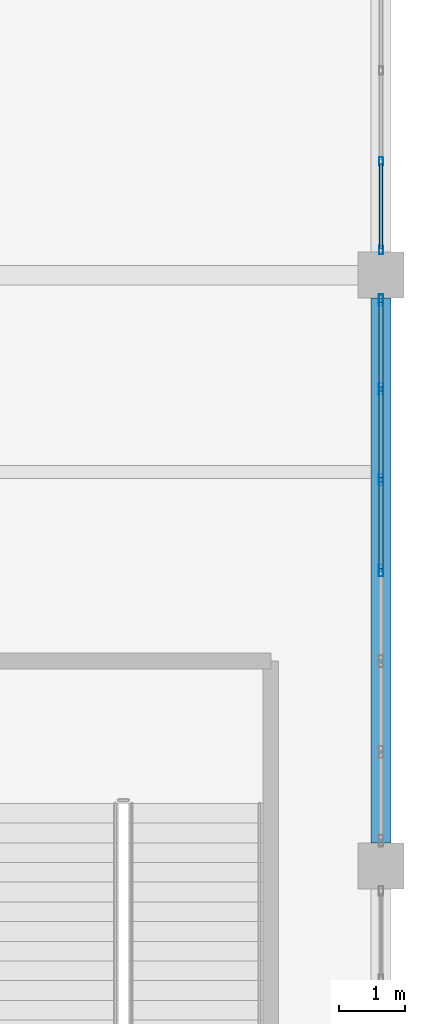
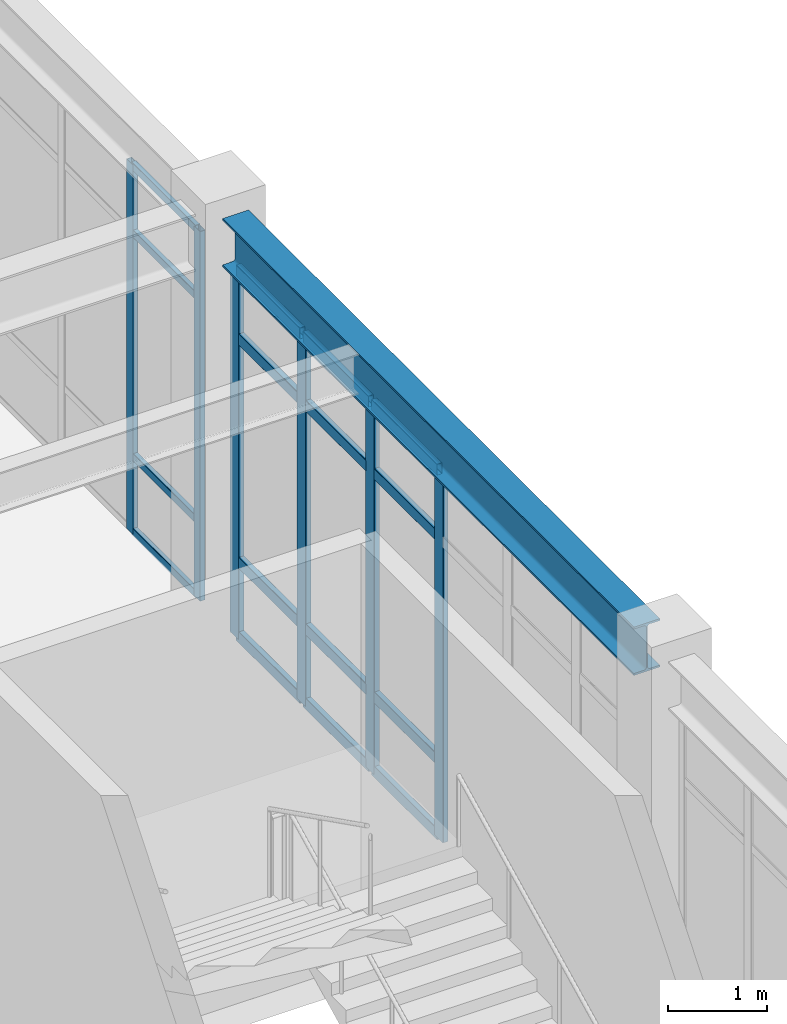
# One storey, part 29 of 80: 22 members, 1 beam, 2 elements without a shape of their own.
"""IFC4 building model written with IfcOpenShell, lengths in metres."""

from ifc_helpers import new_model, si_unit, direction, frame, origin, origin_2d, place, context, subcontext, project, spatial, hollow_rectangle, i_section, extrude, material, material_profile, profile_set, type_object, element, aggregate, save


model = new_model("IFC4")

# Units and contexts
model_context = context("Model", 3, precision=1e-05, world=origin(), true_north=direction((0.0, 1.0)))
body_context = subcontext(model_context, "Body", "Model", "MODEL_VIEW")
ifc_project = project(units=[si_unit("LENGTHUNIT", "METRE"), si_unit("AREAUNIT", "SQUARE_METRE"), si_unit("VOLUMEUNIT", "CUBIC_METRE"), si_unit("PLANEANGLEUNIT", "RADIAN"), si_unit("MASSUNIT", "GRAM", prefix="KILO")], contexts=[model_context])

# Site, building, storey
site_placement = place(None, origin())
site = spatial("IfcSite", under=ifc_project, at=site_placement, CompositionType="ELEMENT")
building_placement = place(site_placement, origin())
building = spatial("IfcBuilding", under=site, at=building_placement, Name="Canglan Escarpment Cableway Terminal", CompositionType="ELEMENT")
storey_placement = place(building_placement, frame((0.0, 0.0, 19.199951171875)))
storey = spatial("IfcBuildingStorey", under=building, at=storey_placement, Name="L04", CompositionType="ELEMENT", Elevation=19.199951171875)

# Beam
ifc_material_1 = material(Name="Steel Q355C", Category="steel")
ifc_material_profile_1 = material_profile(ifc_material_1, i_section(OverallWidth=0.302001953125, OverallDepth=0.593994140625, WebThickness=0.013916015625, FlangeThickness=0.02294921875, FilletRadius=0.028076171875, at=origin_2d()), Name="HM 594x302x14x23")
ifc_profile_set_1 = profile_set([ifc_material_profile_1], Name="Steel Q355C")
beam_type = type_object("IfcBeamType", Name="BM-HM594", PredefinedType="BEAM", material=ifc_profile_set_1)
beam_placement = place(storey_placement, frame((166.39990234375, 43.35009765625, 4.863037109375), z_axis=(0.0, 1.0, 0.0), x_axis=(-1.0, 0.0, 0.0)))
element("IfcBeam", 1, at=beam_placement, inside=storey, type_object=beam_type, Name="Primary transverse girder B-07", PredefinedType="BEAM", context=body_context, shape_type="SweptSolid", body=[
    extrude(i_section(OverallWidth=0.302001953125, OverallDepth=0.593994140625, WebThickness=0.013916015625, FlangeThickness=0.02294921875, FilletRadius=0.028076171875, at=origin_2d()), origin(), (0.0, 0.0, 1.0), 8.2998046875),
])

# Curtain wall, members
ifc_material_2 = material(Name="Anodized bronze aluminium and Low-E double glazing", Category="aluminium")
curtain_wall_type = type_object("IfcCurtainWallType", Name="CW-BAY-8300x4550", PredefinedType="NOTDEFINED", material=ifc_material_2)
curtain_wall_1_placement = place(storey_placement, origin())
curtain_wall_1 = element("IfcCurtainWall", 2, at=curtain_wall_1_placement, inside=storey, type_object=curtain_wall_type, Name="Classical bay-between-piers glazed curtain wall CW-64", PredefinedType="NOTDEFINED")
ifc_material_3 = material(Name="Thermally broken anodized aluminium 6063-T6", Category="aluminium")
ifc_material_profile_2 = material_profile(ifc_material_3, hollow_rectangle(XDim=0.06005859375, YDim=0.1298828125, WallThickness=0.0029296875, InnerFilletRadius=0.0029296875, OuterFilletRadius=0.006103515625, at=origin_2d()), Name="ALU-MULL 60x130x3")
ifc_profile_set_2 = profile_set([ifc_material_profile_2], Name="Thermally broken anodized aluminium 6063-T6")
member_type_1 = type_object("IfcMemberType", Name="CWM-01", PredefinedType="MULLION", material=ifc_profile_set_2)
member_1_placement = place(storey_placement, frame((166.39990234375, 52.3798828125, 0.0), z_axis=(0.0, 0.0, 1.0), x_axis=(-1.0, 0.0, 0.0)))
member_1 = element("IfcMember", 3, at=member_1_placement, type_object=member_type_1, Name="CW-64 mullion 1", PredefinedType="MULLION", context=body_context, shape_type="SweptSolid", body=[
    extrude(hollow_rectangle(XDim=0.06005859375, YDim=0.1298828125, WallThickness=0.0029296875, InnerFilletRadius=0.0029296875, OuterFilletRadius=0.006103515625, at=origin_2d()), origin(), (0.0, 0.0, 1.0), 4.551025390625),
])
member_2_placement = place(storey_placement, frame((166.39990234375, 53.7333984375, 0.0), z_axis=(0.0, 0.0, 1.0), x_axis=(-1.0, 0.0, 0.0)))
member_2 = element("IfcMember", 4, at=member_2_placement, type_object=member_type_1, Name="CW-64 mullion 2", PredefinedType="MULLION", context=body_context, shape_type="SweptSolid", body=[
    extrude(hollow_rectangle(XDim=0.06005859375, YDim=0.1298828125, WallThickness=0.0029296875, InnerFilletRadius=0.0029296875, OuterFilletRadius=0.006103515625, at=origin_2d()), origin(), (0.0, 0.0, 1.0), 4.551025390625),
])

curtain_wall_2_placement = place(storey_placement, origin())
curtain_wall_2 = element("IfcCurtainWall", 5, at=curtain_wall_2_placement, inside=storey, type_object=curtain_wall_type, Name="Classical bay-between-piers glazed curtain wall CW-64", PredefinedType="NOTDEFINED")
ifc_material_profile_3 = material_profile(ifc_material_3, hollow_rectangle(XDim=0.06494140625, YDim=0.179931640625, WallThickness=0.00390625, InnerFilletRadius=0.00390625, OuterFilletRadius=0.008056640625, at=origin_2d()), Name="ALU-MULL 65x180x4")
ifc_profile_set_3 = profile_set([ifc_material_profile_3], Name="Thermally broken anodized aluminium 6063-T6")
member_type_2 = type_object("IfcMemberType", Name="CWM-03", PredefinedType="MULLION", material=ifc_profile_set_3)
member_3_placement = place(storey_placement, frame((166.39990234375, 47.5, 0.0), z_axis=(0.0, 0.0, 1.0), x_axis=(-1.0, 0.0, 0.0)))
member_3 = element("IfcMember", 6, at=member_3_placement, type_object=member_type_2, Name="CW-64 mullion 4", PredefinedType="MULLION", context=body_context, shape_type="SweptSolid", body=[
    extrude(hollow_rectangle(XDim=0.06494140625, YDim=0.179931640625, WallThickness=0.00390625, InnerFilletRadius=0.00390625, OuterFilletRadius=0.008056640625, at=origin_2d()), origin(), (0.0, 0.0, 1.0), 4.551025390625),
])
member_4_placement = place(storey_placement, frame((166.39990234375, 48.88330078125, 0.0), z_axis=(0.0, 0.0, 1.0), x_axis=(-1.0, 0.0, 0.0)))
member_4 = element("IfcMember", 7, at=member_4_placement, type_object=member_type_2, Name="CW-64 mullion 5", PredefinedType="MULLION", context=body_context, shape_type="SweptSolid", body=[
    extrude(hollow_rectangle(XDim=0.06494140625, YDim=0.179931640625, WallThickness=0.00390625, InnerFilletRadius=0.00390625, OuterFilletRadius=0.008056640625, at=origin_2d()), origin(), (0.0, 0.0, 1.0), 4.551025390625),
])
member_5_placement = place(storey_placement, frame((166.39990234375, 50.2666015625, 0.0), z_axis=(0.0, 0.0, 1.0), x_axis=(-1.0, 0.0, 0.0)))
member_5 = element("IfcMember", 8, at=member_5_placement, type_object=member_type_2, Name="CW-64 mullion 6", PredefinedType="MULLION", context=body_context, shape_type="SweptSolid", body=[
    extrude(hollow_rectangle(XDim=0.06494140625, YDim=0.179931640625, WallThickness=0.00390625, InnerFilletRadius=0.00390625, OuterFilletRadius=0.008056640625, at=origin_2d()), origin(), (0.0, 0.0, 1.0), 4.551025390625),
])
member_6_placement = place(storey_placement, frame((166.39990234375, 51.617431640625, 0.0), z_axis=(0.0, 0.0, 1.0), x_axis=(-1.0, 0.0, 0.0)))
member_6 = element("IfcMember", 9, at=member_6_placement, type_object=member_type_2, Name="CW-64 mullion 7", PredefinedType="MULLION", context=body_context, shape_type="SweptSolid", body=[
    extrude(hollow_rectangle(XDim=0.06494140625, YDim=0.179931640625, WallThickness=0.00390625, InnerFilletRadius=0.00390625, OuterFilletRadius=0.008056640625, at=origin_2d()), origin(), (0.0, 0.0, 1.0), 4.551025390625),
])

# Member
ifc_material_profile_4 = material_profile(ifc_material_3, hollow_rectangle(XDim=0.054931640625, YDim=0.094970703125, WallThickness=0.0029296875, InnerFilletRadius=0.0029296875, OuterFilletRadius=0.006103515625, at=origin_2d()), Name="ALU-TRAN 55x95x3")
ifc_profile_set_4 = profile_set([ifc_material_profile_4], Name="Thermally broken anodized aluminium 6063-T6")
member_type_3 = type_object("IfcMemberType", Name="CWT-01", PredefinedType="USERDEFINED", material=ifc_profile_set_4)
member_7_placement = place(storey_placement, frame((166.39990234375, 52.409912109375, 0.027587890625), z_axis=(0.0, 1.0, 0.0), x_axis=(-1.0, 0.0, 0.0)))
member_7 = element("IfcMember", 10, at=member_7_placement, type_object=member_type_3, Name="CW-64 transom 1.1", ObjectType="TRANSOM", PredefinedType="USERDEFINED", context=body_context, shape_type="SweptSolid", body=[
    extrude(hollow_rectangle(XDim=0.054931640625, YDim=0.094970703125, WallThickness=0.0029296875, InnerFilletRadius=0.0029296875, OuterFilletRadius=0.006103515625, at=origin_2d()), origin(), (0.0, 0.0, 1.0), 1.29345703125),
])

member_8_placement = place(storey_placement, frame((166.39990234375, 52.409912109375, 0.949951171875), z_axis=(0.0, 1.0, 0.0), x_axis=(-1.0, 0.0, 0.0)))
member_8 = element("IfcMember", 11, at=member_8_placement, type_object=member_type_3, Name="CW-64 transom 1.2", ObjectType="TRANSOM", PredefinedType="USERDEFINED", context=body_context, shape_type="SweptSolid", body=[
    extrude(hollow_rectangle(XDim=0.054931640625, YDim=0.094970703125, WallThickness=0.0029296875, InnerFilletRadius=0.0029296875, OuterFilletRadius=0.006103515625, at=origin_2d()), origin(), (0.0, 0.0, 1.0), 1.29345703125),
])

member_9_placement = place(storey_placement, frame((166.39990234375, 52.409912109375, 3.700927734375), z_axis=(0.0, 1.0, 0.0), x_axis=(-1.0, 0.0, 0.0)))
member_9 = element("IfcMember", 12, at=member_9_placement, type_object=member_type_3, Name="CW-64 transom 1.3", ObjectType="TRANSOM", PredefinedType="USERDEFINED", context=body_context, shape_type="SweptSolid", body=[
    extrude(hollow_rectangle(XDim=0.054931640625, YDim=0.094970703125, WallThickness=0.0029296875, InnerFilletRadius=0.0029296875, OuterFilletRadius=0.006103515625, at=origin_2d()), origin(), (0.0, 0.0, 1.0), 1.29345703125),
])

member_10_placement = place(storey_placement, frame((166.39990234375, 52.409912109375, 4.5234375), z_axis=(0.0, 1.0, 0.0), x_axis=(-1.0, 0.0, 0.0)))
member_10 = element("IfcMember", 13, at=member_10_placement, type_object=member_type_3, Name="CW-64 transom 1.4", ObjectType="TRANSOM", PredefinedType="USERDEFINED", context=body_context, shape_type="SweptSolid", body=[
    extrude(hollow_rectangle(XDim=0.054931640625, YDim=0.094970703125, WallThickness=0.0029296875, InnerFilletRadius=0.0029296875, OuterFilletRadius=0.006103515625, at=origin_2d()), origin(), (0.0, 0.0, 1.0), 1.29345703125),
])

aggregate(curtain_wall_1, [member_1, member_2, member_7, member_8, member_9, member_10])

ifc_material_profile_5 = material_profile(ifc_material_3, hollow_rectangle(XDim=0.06494140625, YDim=0.139892578125, WallThickness=0.00341796875, InnerFilletRadius=0.00341796875, OuterFilletRadius=0.007080078125, at=origin_2d()), Name="ALU-TRAN 65x140x3.5")
ifc_profile_set_5 = profile_set([ifc_material_profile_5], Name="Thermally broken anodized aluminium 6063-T6")
member_type_4 = type_object("IfcMemberType", Name="CWT-03", PredefinedType="USERDEFINED", material=ifc_profile_set_5)
member_11_placement = place(storey_placement, frame((166.39990234375, 47.532470703125, 0.032470703125), z_axis=(0.0, 1.0, 0.0), x_axis=(-1.0, 0.0, 0.0)))
member_11 = element("IfcMember", 14, at=member_11_placement, type_object=member_type_4, Name="CW-64 transom 4.1", ObjectType="TRANSOM", PredefinedType="USERDEFINED", context=body_context, shape_type="SweptSolid", body=[
    extrude(hollow_rectangle(XDim=0.06494140625, YDim=0.139892578125, WallThickness=0.00341796875, InnerFilletRadius=0.00341796875, OuterFilletRadius=0.007080078125, at=origin_2d()), origin(), (0.0, 0.0, 1.0), 1.318359375),
])

member_12_placement = place(storey_placement, frame((166.39990234375, 47.532470703125, 0.949951171875), z_axis=(0.0, 1.0, 0.0), x_axis=(-1.0, 0.0, 0.0)))
member_12 = element("IfcMember", 15, at=member_12_placement, type_object=member_type_4, Name="CW-64 transom 4.2", ObjectType="TRANSOM", PredefinedType="USERDEFINED", context=body_context, shape_type="SweptSolid", body=[
    extrude(hollow_rectangle(XDim=0.06494140625, YDim=0.139892578125, WallThickness=0.00341796875, InnerFilletRadius=0.00341796875, OuterFilletRadius=0.007080078125, at=origin_2d()), origin(), (0.0, 0.0, 1.0), 1.318359375),
])

member_13_placement = place(storey_placement, frame((166.39990234375, 47.532470703125, 3.700927734375), z_axis=(0.0, 1.0, 0.0), x_axis=(-1.0, 0.0, 0.0)))
member_13 = element("IfcMember", 16, at=member_13_placement, type_object=member_type_4, Name="CW-64 transom 4.3", ObjectType="TRANSOM", PredefinedType="USERDEFINED", context=body_context, shape_type="SweptSolid", body=[
    extrude(hollow_rectangle(XDim=0.06494140625, YDim=0.139892578125, WallThickness=0.00341796875, InnerFilletRadius=0.00341796875, OuterFilletRadius=0.007080078125, at=origin_2d()), origin(), (0.0, 0.0, 1.0), 1.318359375),
])

member_14_placement = place(storey_placement, frame((166.39990234375, 47.532470703125, 4.5185546875), z_axis=(0.0, 1.0, 0.0), x_axis=(-1.0, 0.0, 0.0)))
member_14 = element("IfcMember", 17, at=member_14_placement, type_object=member_type_4, Name="CW-64 transom 4.4", ObjectType="TRANSOM", PredefinedType="USERDEFINED", context=body_context, shape_type="SweptSolid", body=[
    extrude(hollow_rectangle(XDim=0.06494140625, YDim=0.139892578125, WallThickness=0.00341796875, InnerFilletRadius=0.00341796875, OuterFilletRadius=0.007080078125, at=origin_2d()), origin(), (0.0, 0.0, 1.0), 1.318359375),
])

member_15_placement = place(storey_placement, frame((166.39990234375, 48.915771484375, 0.032470703125), z_axis=(0.0, 1.0, 0.0), x_axis=(-1.0, 0.0, 0.0)))
member_15 = element("IfcMember", 18, at=member_15_placement, type_object=member_type_4, Name="CW-64 transom 5.1", ObjectType="TRANSOM", PredefinedType="USERDEFINED", context=body_context, shape_type="SweptSolid", body=[
    extrude(hollow_rectangle(XDim=0.06494140625, YDim=0.139892578125, WallThickness=0.00341796875, InnerFilletRadius=0.00341796875, OuterFilletRadius=0.007080078125, at=origin_2d()), origin(), (0.0, 0.0, 1.0), 1.318359375),
])

member_16_placement = place(storey_placement, frame((166.39990234375, 48.915771484375, 0.949951171875), z_axis=(0.0, 1.0, 0.0), x_axis=(-1.0, 0.0, 0.0)))
member_16 = element("IfcMember", 19, at=member_16_placement, type_object=member_type_4, Name="CW-64 transom 5.2", ObjectType="TRANSOM", PredefinedType="USERDEFINED", context=body_context, shape_type="SweptSolid", body=[
    extrude(hollow_rectangle(XDim=0.06494140625, YDim=0.139892578125, WallThickness=0.00341796875, InnerFilletRadius=0.00341796875, OuterFilletRadius=0.007080078125, at=origin_2d()), origin(), (0.0, 0.0, 1.0), 1.318359375),
])

member_17_placement = place(storey_placement, frame((166.39990234375, 48.915771484375, 3.700927734375), z_axis=(0.0, 1.0, 0.0), x_axis=(-1.0, 0.0, 0.0)))
member_17 = element("IfcMember", 20, at=member_17_placement, type_object=member_type_4, Name="CW-64 transom 5.3", ObjectType="TRANSOM", PredefinedType="USERDEFINED", context=body_context, shape_type="SweptSolid", body=[
    extrude(hollow_rectangle(XDim=0.06494140625, YDim=0.139892578125, WallThickness=0.00341796875, InnerFilletRadius=0.00341796875, OuterFilletRadius=0.007080078125, at=origin_2d()), origin(), (0.0, 0.0, 1.0), 1.318359375),
])

member_18_placement = place(storey_placement, frame((166.39990234375, 48.915771484375, 4.5185546875), z_axis=(0.0, 1.0, 0.0), x_axis=(-1.0, 0.0, 0.0)))
member_18 = element("IfcMember", 21, at=member_18_placement, type_object=member_type_4, Name="CW-64 transom 5.4", ObjectType="TRANSOM", PredefinedType="USERDEFINED", context=body_context, shape_type="SweptSolid", body=[
    extrude(hollow_rectangle(XDim=0.06494140625, YDim=0.139892578125, WallThickness=0.00341796875, InnerFilletRadius=0.00341796875, OuterFilletRadius=0.007080078125, at=origin_2d()), origin(), (0.0, 0.0, 1.0), 1.318359375),
])

member_19_placement = place(storey_placement, frame((166.39990234375, 50.299072265625, 0.032470703125), z_axis=(0.0, 1.0, 0.0), x_axis=(-1.0, 0.0, 0.0)))
member_19 = element("IfcMember", 22, at=member_19_placement, type_object=member_type_4, Name="CW-64 transom 6.1", ObjectType="TRANSOM", PredefinedType="USERDEFINED", context=body_context, shape_type="SweptSolid", body=[
    extrude(hollow_rectangle(XDim=0.06494140625, YDim=0.139892578125, WallThickness=0.00341796875, InnerFilletRadius=0.00341796875, OuterFilletRadius=0.007080078125, at=origin_2d()), origin(), (0.0, 0.0, 1.0), 1.285888671875),
])

member_20_placement = place(storey_placement, frame((166.39990234375, 50.299072265625, 0.949951171875), z_axis=(0.0, 1.0, 0.0), x_axis=(-1.0, 0.0, 0.0)))
member_20 = element("IfcMember", 23, at=member_20_placement, type_object=member_type_4, Name="CW-64 transom 6.2", ObjectType="TRANSOM", PredefinedType="USERDEFINED", context=body_context, shape_type="SweptSolid", body=[
    extrude(hollow_rectangle(XDim=0.06494140625, YDim=0.139892578125, WallThickness=0.00341796875, InnerFilletRadius=0.00341796875, OuterFilletRadius=0.007080078125, at=origin_2d()), origin(), (0.0, 0.0, 1.0), 1.285888671875),
])

member_21_placement = place(storey_placement, frame((166.39990234375, 50.299072265625, 3.700927734375), z_axis=(0.0, 1.0, 0.0), x_axis=(-1.0, 0.0, 0.0)))
member_21 = element("IfcMember", 24, at=member_21_placement, type_object=member_type_4, Name="CW-64 transom 6.3", ObjectType="TRANSOM", PredefinedType="USERDEFINED", context=body_context, shape_type="SweptSolid", body=[
    extrude(hollow_rectangle(XDim=0.06494140625, YDim=0.139892578125, WallThickness=0.00341796875, InnerFilletRadius=0.00341796875, OuterFilletRadius=0.007080078125, at=origin_2d()), origin(), (0.0, 0.0, 1.0), 1.285888671875),
])

member_22_placement = place(storey_placement, frame((166.39990234375, 50.299072265625, 4.5185546875), z_axis=(0.0, 1.0, 0.0), x_axis=(-1.0, 0.0, 0.0)))
member_22 = element("IfcMember", 25, at=member_22_placement, type_object=member_type_4, Name="CW-64 transom 6.4", ObjectType="TRANSOM", PredefinedType="USERDEFINED", context=body_context, shape_type="SweptSolid", body=[
    extrude(hollow_rectangle(XDim=0.06494140625, YDim=0.139892578125, WallThickness=0.00341796875, InnerFilletRadius=0.00341796875, OuterFilletRadius=0.007080078125, at=origin_2d()), origin(), (0.0, 0.0, 1.0), 1.285888671875),
])

aggregate(curtain_wall_2, [member_3, member_4, member_5, member_6, member_11, member_12, member_13, member_14, member_15, member_16, member_17, member_18, member_19, member_20, member_21, member_22])

save(model, "model.ifc")
